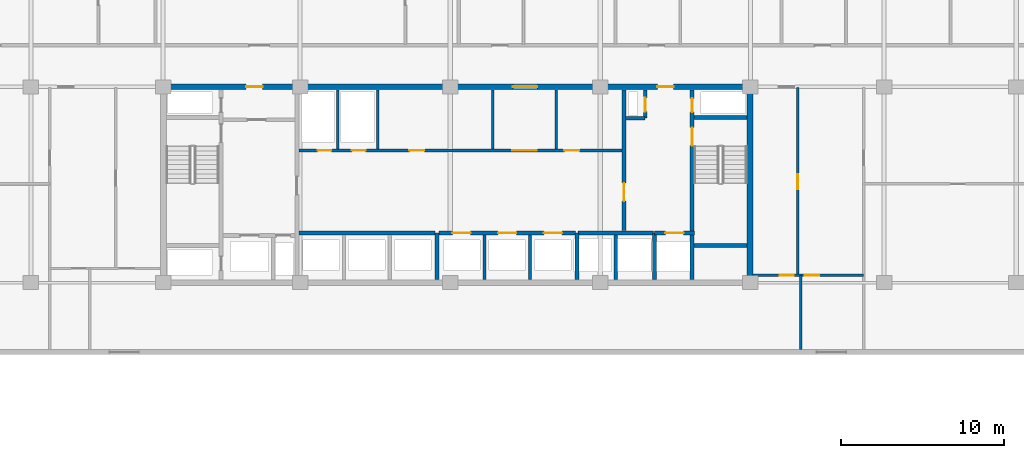
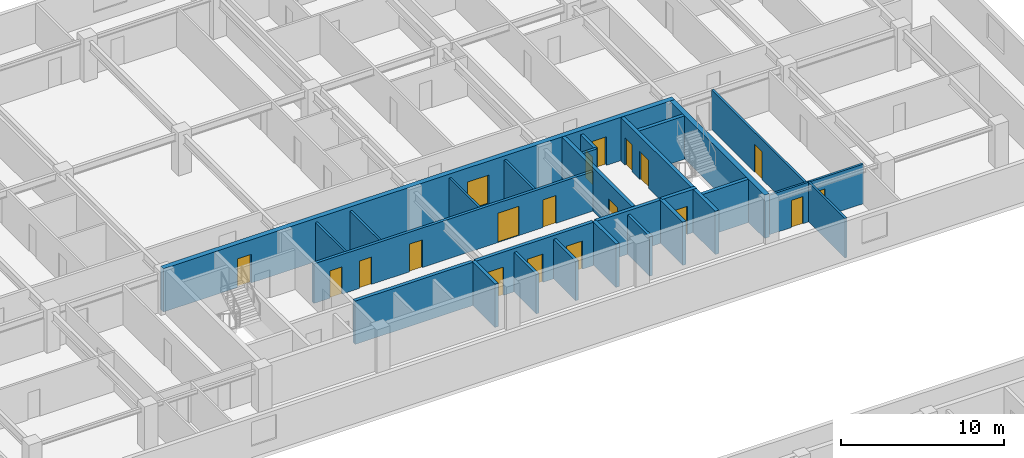
# One storey, part 11 of 21: 26 walls, 19 doors, 19 openings.
"""IFC4 building model written with IfcOpenShell, lengths in metres."""

from ifc_helpers import new_model, si_unit, direction, frame, frame_2d, origin, place, context, subcontext, project, spatial, rectangle, extrude, material, layer, layer_set, type_object, element, fill, save


model = new_model("IFC4")

# Units and contexts
model_context = context("Model", 3, precision=1e-05, world=origin(), true_north=direction((0.0, 1.0)))
body_context = subcontext(model_context, "Body", "Model", "MODEL_VIEW")
ifc_project = project(units=[si_unit("LENGTHUNIT", "METRE"), si_unit("AREAUNIT", "SQUARE_METRE"), si_unit("VOLUMEUNIT", "CUBIC_METRE"), si_unit("PLANEANGLEUNIT", "RADIAN"), si_unit("MASSUNIT", "GRAM", prefix="KILO")], contexts=[model_context])

# Site, building, storey
site_placement = place(None, origin())
site = spatial("IfcSite", under=ifc_project, at=site_placement, CompositionType="ELEMENT")
building_placement = place(site_placement, origin())
building = spatial("IfcBuilding", under=site, at=building_placement, Name="Korimba Cascade Residences", CompositionType="ELEMENT")
storey_placement = place(building_placement, frame((0.0, 0.0, 97.050048828125)))
storey = spatial("IfcBuildingStorey", under=building, at=storey_placement, Name="L27", CompositionType="ELEMENT", Elevation=97.050048828125)

# Wall
ifc_material_1 = material(Name="Concrete C65/80", Category="concrete")
ifc_layer_1 = layer(ifc_material_1, 0.35009765625)
ifc_layer_set_1 = layer_set([ifc_layer_1], Name="Concrete C65/80")
wall_type_1 = type_object("IfcWallType", Name="WAL-CORE-350", PredefinedType="SHEAR", material=ifc_layer_set_1)
wall_1_placement = place(storey_placement, frame((112.074951171875, 55.375, 0.0), z_axis=(0.0, 0.0, 1.0), x_axis=(0.0, 1.0, 0.0)))
element("IfcWall", 1, at=wall_1_placement, inside=storey, type_object=wall_type_1, Name="L27 Core Shear Wall CW-L27-T1-E", PredefinedType="SHEAR", context=body_context, shape_type="SweptSolid", body=[
    extrude(rectangle(XDim=11.64990234375, YDim=0.35009765625, at=frame_2d((5.824951171875, 0.0))), origin(), (0.0, 0.0, 1.0), 3.25),
])

# Wall, openings, doors
wall_2_placement = place(storey_placement, frame((75.949951171875, 67.199951171875, 0.0), z_axis=(0.0, 0.0, 1.0), x_axis=(1.0, 0.0, 0.0)))
wall_2 = element("IfcWall", 2, at=wall_2_placement, inside=storey, type_object=wall_type_1, Name="L27 Core Shear Wall CW-L27-T1-N", PredefinedType="SHEAR", context=body_context, shape_type="SweptSolid", body=[
    extrude(rectangle(XDim=36.300048828125, YDim=0.35009765625, at=frame_2d((18.14990234375, 0.0))), origin(), (0.0, 0.0, 1.0), 3.25),
])
opening_1_placement = place(wall_2_placement, frame((5.25, 0.0, 0.0)))
opening_1 = element("IfcOpeningElement", 3, at=opening_1_placement, cuts=wall_2, Name="Opening D-FD5", PredefinedType="OPENING", context=body_context, shape_type="SweptSolid", body=[
    extrude(rectangle(XDim=1.0, YDim=2.14990234375, at=frame_2d((0.5, 1.074951171875))), frame((0.0, 0.18505859375, 0.0), z_axis=(0.0, -1.0, 0.0), x_axis=(1.0, 0.0, 0.0)), (0.0, 0.0, 1.0), 0.3701171875),
])
opening_2_placement = place(wall_2_placement, frame((21.60009765625, 0.0, 0.0)))
opening_2 = element("IfcOpeningElement", 4, at=opening_2_placement, cuts=wall_2, Name="Opening D-FD8", PredefinedType="OPENING", context=body_context, shape_type="SweptSolid", body=[
    extrude(rectangle(XDim=1.5, YDim=2.199951171875, at=frame_2d((0.75, 1.10009765625))), frame((0.0, 0.18505859375, 0.0), z_axis=(0.0, -1.0, 0.0), x_axis=(1.0, 0.0, 0.0)), (0.0, 0.0, 1.0), 0.3701171875),
])
opening_3_placement = place(wall_2_placement, frame((30.449951171875, 0.0, 0.0)))
opening_3 = element("IfcOpeningElement", 5, at=opening_3_placement, cuts=wall_2, Name="Opening D-FD5", PredefinedType="OPENING", context=body_context, shape_type="SweptSolid", body=[
    extrude(rectangle(XDim=1.0, YDim=2.14990234375, at=frame_2d((0.5, 1.074951171875))), frame((0.0, 0.18505859375, 0.0), z_axis=(0.0, -1.0, 0.0), x_axis=(1.0, 0.0, 0.0)), (0.0, 0.0, 1.0), 0.3701171875),
])
ifc_material_2 = material(Name="Fire-Rated Acoustic Timber Vestibule Door", Category="wood")
door_type_1 = type_object("IfcDoorType", Name="DR-FD90-1000", OperationType="NOTDEFINED", PredefinedType="DOOR", material=ifc_material_2)
door_1_placement = place(opening_1_placement, origin())
door_1 = element("IfcDoor", 6, at=door_1_placement, inside=storey, type_object=door_type_1, Name="L27 T1 West Core Vestibule Fire Door", OperationType="SINGLE_SWING_RIGHT", OverallHeight=2.14990234375, OverallWidth=1.0, PredefinedType="DOOR", context=body_context, shape_type="SweptSolid", body=[
    extrude(rectangle(XDim=1.0, YDim=2.14990234375, at=frame_2d((0.5, 1.074951171875))), frame((0.0, 0.02490234375, 0.0), z_axis=(0.0, -1.0, 0.0), x_axis=(1.0, 0.0, 0.0)), (0.0, 0.0, 1.0), 0.050048828125),
])
fill(opening_1, door_1)
door_2_placement = place(opening_3_placement, origin())
door_2 = element("IfcDoor", 7, at=door_2_placement, inside=storey, type_object=door_type_1, Name="L27 T1 East Firefighting Vestibule Fire Door", OperationType="SINGLE_SWING_LEFT", OverallHeight=2.14990234375, OverallWidth=1.0, PredefinedType="DOOR", context=body_context, shape_type="SweptSolid", body=[
    extrude(rectangle(XDim=1.0, YDim=2.14990234375, at=frame_2d((0.5, 1.074951171875))), frame((0.0, 0.02490234375, 0.0), z_axis=(0.0, -1.0, 0.0), x_axis=(1.0, 0.0, 0.0)), (0.0, 0.0, 1.0), 0.050048828125),
])
fill(opening_3, door_2)
ifc_material_3 = material(Name="Fire-Rated Glazed Lift Lobby Double Door", Category="glass")
door_type_2 = type_object("IfcDoorType", Name="DR-FD90-1500", OperationType="NOTDEFINED", PredefinedType="DOOR", material=ifc_material_3)
door_3_placement = place(opening_2_placement, origin())
door_3 = element("IfcDoor", 8, at=door_3_placement, inside=storey, type_object=door_type_2, Name="L27 T1 Lift Lobby Fire Door", OperationType="DOUBLE_DOOR_SINGLE_SWING", OverallHeight=2.199951171875, OverallWidth=1.5, PredefinedType="DOOR", context=body_context, shape_type="SweptSolid", body=[
    extrude(rectangle(XDim=1.5, YDim=2.199951171875, at=frame_2d((0.75, 1.10009765625))), frame((0.0, 0.02490234375, 0.0), z_axis=(0.0, -1.0, 0.0), x_axis=(1.0, 0.0, 0.0)), (0.0, 0.0, 1.0), 0.050048828125),
])
fill(opening_2, door_3)

# Walls
ifc_material_4 = material(Name="Insulated Acoustic Stud Partition", Category="gypsum")
ifc_layer_2 = layer(ifc_material_4, 0.14990234375)
ifc_layer_set_2 = layer_set([ifc_layer_2], Name="Insulated Acoustic Stud Partition")
wall_type_2 = type_object("IfcWallType", Name="WAL-PART-150", PredefinedType="PARTITIONING", material=ifc_layer_set_2)
for number, where, z_axis, x_axis, name in (
    (9, (86.800048828125, 63.39990234375, 0.0), (0.0, 0.0, 1.0), (0.0, 1.0, 0.0), "L27 Partition Wall CW-L27-T1-ERDIV"),
    (10, (89.25, 63.39990234375, 0.0), (0.0, 0.0, 1.0), (0.0, 1.0, 0.0), "L27 Partition Wall CW-L27-T1-PRDIV"),
    (11, (96.300048828125, 63.39990234375, 0.0), (0.0, 0.0, 1.0), (0.0, 1.0, 0.0), "L27 Partition Wall CW-L27-T1-THW"),
    (12, (100.199951171875, 63.39990234375, 0.0), (0.0, 0.0, 1.0), (0.0, 1.0, 0.0), "L27 Partition Wall CW-L27-T1-THE"),
):
    element("IfcWall", number, at=place(storey_placement, frame(where, z_axis=z_axis, x_axis=x_axis)), inside=storey, type_object=wall_type_2, Name=name, PredefinedType="PARTITIONING", context=body_context, shape_type="SweptSolid", body=[
        extrude(rectangle(XDim=3.60009765625, YDim=0.14990234375, at=frame_2d((1.800048828125, 0.0))), origin(), (0.0, 0.0, 1.0), 2.969970703125),
    ])

# Wall, opening, door
wall_3_placement = place(storey_placement, frame((115.0, 55.64990234375, 0.0), z_axis=(0.0, 0.0, 1.0), x_axis=(0.0, 1.0, 0.0)))
wall_3 = element("IfcWall", 13, at=wall_3_placement, inside=storey, type_object=wall_type_2, Name="L27 Partition Wall WAL-L27-T1-FE-VN", PredefinedType="PARTITIONING", context=body_context, shape_type="SweptSolid", body=[
    extrude(rectangle(XDim=11.5, YDim=0.14990234375, at=frame_2d((5.75, 0.0))), origin(), (0.0, 0.0, 1.0), 2.969970703125),
])
opening_4_placement = place(wall_3_placement, frame((5.2900390625, 0.0, 0.0)))
opening_4 = element("IfcOpeningElement", 14, at=opening_4_placement, cuts=wall_3, Name="Opening D-IN1", PredefinedType="OPENING", context=body_context, shape_type="SweptSolid", body=[
    extrude(rectangle(XDim=0.919921875, YDim=2.080078125, at=frame_2d((0.4599609375, 1.0400390625))), frame((0.0, 0.0849609375, 0.0), z_axis=(0.0, -1.0, 0.0), x_axis=(1.0, 0.0, 0.0)), (0.0, 0.0, 1.0), 0.169921875),
])
ifc_material_5 = material(Name="Acoustic Timber Living Door", Category="wood")
door_type_3 = type_object("IfcDoorType", Name="DR-INT-920", OperationType="NOTDEFINED", PredefinedType="DOOR", material=ifc_material_5)
door_4_placement = place(opening_4_placement, origin())
door_4 = element("IfcDoor", 15, at=door_4_placement, inside=storey, type_object=door_type_3, Name="L27-T1-FE Living Door", OperationType="SINGLE_SWING_RIGHT", OverallHeight=2.080078125, OverallWidth=0.919921875, PredefinedType="DOOR", context=body_context, shape_type="SweptSolid", body=[
    extrude(rectangle(XDim=0.919921875, YDim=2.080078125, at=frame_2d((0.4599609375, 1.0400390625))), frame((0.0, 0.02490234375, 0.0), z_axis=(0.0, -1.0, 0.0), x_axis=(1.0, 0.0, 0.0)), (0.0, 0.0, 1.0), 0.050048828125),
])
fill(opening_4, door_4)

# Wall
wall_4_placement = place(storey_placement, frame((115.199951171875, 51.10009765625, 0.0), z_axis=(0.0, 0.0, 1.0), x_axis=(0.0, 1.0, 0.0)))
element("IfcWall", 16, at=wall_4_placement, inside=storey, type_object=wall_type_2, Name="L27 Partition Wall WAL-L27-T1-FE-VS", PredefinedType="PARTITIONING", context=body_context, shape_type="SweptSolid", body=[
    extrude(rectangle(XDim=4.5498046875, YDim=0.14990234375, at=frame_2d((2.27490234375, 0.0))), origin(), (0.0, 0.0, 1.0), 2.969970703125),
])

# Wall, openings, doors
wall_5_placement = place(storey_placement, frame((112.27001953125, 55.64990234375, 0.0), z_axis=(0.0, 0.0, 1.0), x_axis=(1.0, 0.0, 0.0)))
wall_5 = element("IfcWall", 17, at=wall_5_placement, inside=storey, type_object=wall_type_2, Name="L27 Partition Wall WAL-L27-T1-FE-H", PredefinedType="PARTITIONING", context=body_context, shape_type="SweptSolid", body=[
    extrude(rectangle(XDim=6.760009765625, YDim=0.14990234375, at=frame_2d((3.3798828125, 0.0))), origin(), (0.0, 0.0, 1.0), 2.969970703125),
])
opening_5_placement = place(wall_5_placement, frame((1.6396484375, 0.0, 0.0)))
opening_5 = element("IfcOpeningElement", 18, at=opening_5_placement, cuts=wall_5, Name="Opening D-BT1", PredefinedType="OPENING", context=body_context, shape_type="SweptSolid", body=[
    extrude(rectangle(XDim=0.840087890625, YDim=2.0400390625, at=frame_2d((0.419921875, 1.02001953125))), frame((0.0, 0.0849609375, 0.0), z_axis=(0.0, -1.0, 0.0), x_axis=(1.0, 0.0, 0.0)), (0.0, 0.0, 1.0), 0.169921875),
])
opening_6_placement = place(wall_5_placement, frame((3.160400390625, 0.0, 0.0)))
opening_6 = element("IfcOpeningElement", 19, at=opening_6_placement, cuts=wall_5, Name="Opening D-IN2", PredefinedType="OPENING", context=body_context, shape_type="SweptSolid", body=[
    extrude(rectangle(XDim=0.8798828125, YDim=2.06005859375, at=frame_2d((0.43994140625, 1.030029296875))), frame((0.0, 0.0849609375, 0.0), z_axis=(0.0, -1.0, 0.0), x_axis=(1.0, 0.0, 0.0)), (0.0, 0.0, 1.0), 0.169921875),
])
ifc_material_6 = material(Name="Moisture-Resistant Bathroom Timber Door", Category="wood")
door_type_4 = type_object("IfcDoorType", Name="DR-INT-850", OperationType="NOTDEFINED", PredefinedType="DOOR", material=ifc_material_6)
door_5_placement = place(opening_5_placement, origin())
door_5 = element("IfcDoor", 20, at=door_5_placement, inside=storey, type_object=door_type_4, Name="L27-T1-FE Bathroom Door", OperationType="SINGLE_SWING_LEFT", OverallHeight=2.0400390625, OverallWidth=0.840087890625, PredefinedType="DOOR", context=body_context, shape_type="SweptSolid", body=[
    extrude(rectangle(XDim=0.840087890625, YDim=2.0400390625, at=frame_2d((0.419921875, 1.02001953125))), frame((0.0, 0.02490234375, 0.0), z_axis=(0.0, -1.0, 0.0), x_axis=(1.0, 0.0, 0.0)), (0.0, 0.0, 1.0), 0.050048828125),
])
fill(opening_5, door_5)
ifc_material_7 = material(Name="Acoustic Timber Bedroom Door", Category="wood")
door_type_5 = type_object("IfcDoorType", Name="DR-INT-880", OperationType="NOTDEFINED", PredefinedType="DOOR", material=ifc_material_7)
door_6_placement = place(opening_6_placement, origin())
door_6 = element("IfcDoor", 21, at=door_6_placement, inside=storey, type_object=door_type_5, Name="L27-T1-FE Bedroom Door", OperationType="SINGLE_SWING_RIGHT", OverallHeight=2.06005859375, OverallWidth=0.8798828125, PredefinedType="DOOR", context=body_context, shape_type="SweptSolid", body=[
    extrude(rectangle(XDim=0.8798828125, YDim=2.06005859375, at=frame_2d((0.43994140625, 1.030029296875))), frame((0.0, 0.02490234375, 0.0), z_axis=(0.0, -1.0, 0.0), x_axis=(1.0, 0.0, 0.0)), (0.0, 0.0, 1.0), 0.050048828125),
])
fill(opening_6, door_6)

# Walls
ifc_material_8 = material(Name="Concrete C40/50", Category="concrete")
ifc_layer_3 = layer(ifc_material_8, 0.199951171875)
ifc_layer_set_3 = layer_set([ifc_layer_3], Name="Concrete C40/50")
wall_type_3 = type_object("IfcWallType", Name="WAL-PART-200", PredefinedType="PARTITIONING", material=ifc_layer_set_3)
for number, where, z_axis, x_axis, name in (
    (22, (95.800048828125, 55.39990234375, 0.0), (0.0, 0.0, 1.0), (0.0, 1.0, 0.0), "L27 Partition Wall CW-L27-T1-B2D1"),
    (23, (98.60009765625, 55.39990234375, 0.0), (0.0, 0.0, 1.0), (0.0, 1.0, 0.0), "L27 Partition Wall CW-L27-T1-B2D2"),
    (24, (103.85009765625, 55.39990234375, 0.0), (0.0, 0.0, 1.0), (0.0, 1.0, 0.0), "L27 Partition Wall CW-L27-T1-B3D1"),
):
    element("IfcWall", number, at=place(storey_placement, frame(where, z_axis=z_axis, x_axis=x_axis)), inside=storey, type_object=wall_type_3, Name=name, PredefinedType="PARTITIONING", context=body_context, shape_type="SweptSolid", body=[
        extrude(rectangle(XDim=2.72021484375, YDim=0.199951171875, at=frame_2d((1.360107421875, 0.0))), origin(), (0.0, 0.0, 1.0), 2.969970703125),
    ])

# Wall, openings, doors
wall_6_placement = place(storey_placement, frame((84.419921875, 63.300048828125, 0.0), z_axis=(0.0, 0.0, 1.0), x_axis=(1.0, 0.0, 0.0)))
wall_6 = element("IfcWall", 25, at=wall_6_placement, inside=storey, type_object=wall_type_3, Name="L27 Partition Wall CW-L27-T1-SRVROW", PredefinedType="PARTITIONING", context=body_context, shape_type="SweptSolid", body=[
    extrude(rectangle(XDim=19.830078125, YDim=0.199951171875, at=frame_2d((9.9150390625, 0.0))), origin(), (0.0, 0.0, 1.0), 2.969970703125),
])
opening_7_placement = place(wall_6_placement, frame((1.14990234375, 0.0, 0.0)))
opening_7 = element("IfcOpeningElement", 26, at=opening_7_placement, cuts=wall_6, Name="Opening D-RS1", PredefinedType="OPENING", context=body_context, shape_type="SweptSolid", body=[
    extrude(rectangle(XDim=0.85009765625, YDim=2.050048828125, at=frame_2d((0.425048828125, 1.02490234375))), frame((0.0, 0.10986328125, 0.0), z_axis=(0.0, -1.0, 0.0), x_axis=(1.0, 0.0, 0.0)), (0.0, 0.0, 1.0), 0.219970703125),
])
opening_8_placement = place(wall_6_placement, frame((3.25, 0.0, 0.0)))
opening_8 = element("IfcOpeningElement", 27, at=opening_8_placement, cuts=wall_6, Name="Opening D-RS1", PredefinedType="OPENING", context=body_context, shape_type="SweptSolid", body=[
    extrude(rectangle(XDim=0.85009765625, YDim=2.050048828125, at=frame_2d((0.425048828125, 1.02490234375))), frame((0.0, 0.10986328125, 0.0), z_axis=(0.0, -1.0, 0.0), x_axis=(1.0, 0.0, 0.0)), (0.0, 0.0, 1.0), 0.219970703125),
])
opening_9_placement = place(wall_6_placement, frame((13.080078125, 0.0, 0.0)))
opening_9 = element("IfcOpeningElement", 28, at=opening_9_placement, cuts=wall_6, Name="Opening D-FD8", PredefinedType="OPENING", context=body_context, shape_type="SweptSolid", body=[
    extrude(rectangle(XDim=1.5, YDim=2.199951171875, at=frame_2d((0.75, 1.10009765625))), frame((0.0, 0.10986328125, 0.0), z_axis=(0.0, -1.0, 0.0), x_axis=(1.0, 0.0, 0.0)), (0.0, 0.0, 1.0), 0.219970703125),
])
opening_10_placement = place(wall_6_placement, frame((6.780029296875, 0.0, 0.0)))
opening_10 = element("IfcOpeningElement", 29, at=opening_10_placement, cuts=wall_6, Name="Opening D-IN1", PredefinedType="OPENING", context=body_context, shape_type="SweptSolid", body=[
    extrude(rectangle(XDim=0.919921875, YDim=2.080078125, at=frame_2d((0.4599609375, 1.0400390625))), frame((0.0, 0.10986328125, 0.0), z_axis=(0.0, -1.0, 0.0), x_axis=(1.0, 0.0, 0.0)), (0.0, 0.0, 1.0), 0.219970703125),
])
opening_11_placement = place(wall_6_placement, frame((16.280029296875, 0.0, 0.0)))
opening_11 = element("IfcOpeningElement", 30, at=opening_11_placement, cuts=wall_6, Name="Opening D-IN1", PredefinedType="OPENING", context=body_context, shape_type="SweptSolid", body=[
    extrude(rectangle(XDim=0.919921875, YDim=2.080078125, at=frame_2d((0.4599609375, 1.0400390625))), frame((0.0, 0.10986328125, 0.0), z_axis=(0.0, -1.0, 0.0), x_axis=(1.0, 0.0, 0.0)), (0.0, 0.0, 1.0), 0.219970703125),
])
ifc_material_9 = material(Name="Fire-Rated Steel Riser Access Door", Category="steel")
door_type_6 = type_object("IfcDoorType", Name="DR-FD60-850", OperationType="NOTDEFINED", PredefinedType="DOOR", material=ifc_material_9)
door_7_placement = place(opening_7_placement, origin())
door_7 = element("IfcDoor", 31, at=door_7_placement, inside=storey, type_object=door_type_6, Name="L27 Electrical Riser Door", OperationType="SINGLE_SWING_RIGHT", OverallHeight=2.050048828125, OverallWidth=0.85009765625, PredefinedType="DOOR", context=body_context, shape_type="SweptSolid", body=[
    extrude(rectangle(XDim=0.85009765625, YDim=2.050048828125, at=frame_2d((0.425048828125, 1.02490234375))), frame((0.0, 0.02490234375, 0.0), z_axis=(0.0, -1.0, 0.0), x_axis=(1.0, 0.0, 0.0)), (0.0, 0.0, 1.0), 0.050048828125),
])
fill(opening_7, door_7)
door_8_placement = place(opening_8_placement, origin())
door_8 = element("IfcDoor", 32, at=door_8_placement, inside=storey, type_object=door_type_6, Name="L27 Plumbing Riser Door", OperationType="SINGLE_SWING_LEFT", OverallHeight=2.050048828125, OverallWidth=0.85009765625, PredefinedType="DOOR", context=body_context, shape_type="SweptSolid", body=[
    extrude(rectangle(XDim=0.85009765625, YDim=2.050048828125, at=frame_2d((0.425048828125, 1.02490234375))), frame((0.0, 0.02490234375, 0.0), z_axis=(0.0, -1.0, 0.0), x_axis=(1.0, 0.0, 0.0)), (0.0, 0.0, 1.0), 0.050048828125),
])
fill(opening_8, door_8)
door_9_placement = place(opening_9_placement, origin())
door_9 = element("IfcDoor", 33, at=door_9_placement, inside=storey, type_object=door_type_2, Name="L27 Lift Lobby Foyer Archway Door", OperationType="DOUBLE_DOOR_SINGLE_SWING", OverallHeight=2.199951171875, OverallWidth=1.5, PredefinedType="DOOR", context=body_context, shape_type="SweptSolid", body=[
    extrude(rectangle(XDim=1.5, YDim=2.199951171875, at=frame_2d((0.75, 1.10009765625))), frame((0.0, 0.02490234375, 0.0), z_axis=(0.0, -1.0, 0.0), x_axis=(1.0, 0.0, 0.0)), (0.0, 0.0, 1.0), 0.050048828125),
])
fill(opening_9, door_9)
door_10_placement = place(opening_10_placement, origin())
door_10 = element("IfcDoor", 34, at=door_10_placement, inside=storey, type_object=door_type_3, Name="L27 Housekeeping Door", OperationType="SINGLE_SWING_RIGHT", OverallHeight=2.080078125, OverallWidth=0.919921875, PredefinedType="DOOR", context=body_context, shape_type="SweptSolid", body=[
    extrude(rectangle(XDim=0.919921875, YDim=2.080078125, at=frame_2d((0.4599609375, 1.0400390625))), frame((0.0, 0.02490234375, 0.0), z_axis=(0.0, -1.0, 0.0), x_axis=(1.0, 0.0, 0.0)), (0.0, 0.0, 1.0), 0.050048828125),
])
fill(opening_10, door_10)
door_11_placement = place(opening_11_placement, origin())
door_11 = element("IfcDoor", 35, at=door_11_placement, inside=storey, type_object=door_type_3, Name="L27 Store Door", OperationType="SINGLE_SWING_LEFT", OverallHeight=2.080078125, OverallWidth=0.919921875, PredefinedType="DOOR", context=body_context, shape_type="SweptSolid", body=[
    extrude(rectangle(XDim=0.919921875, YDim=2.080078125, at=frame_2d((0.4599609375, 1.0400390625))), frame((0.0, 0.02490234375, 0.0), z_axis=(0.0, -1.0, 0.0), x_axis=(1.0, 0.0, 0.0)), (0.0, 0.0, 1.0), 0.050048828125),
])
fill(opening_11, door_11)

# Wall
wall_7_placement = place(storey_placement, frame((104.449951171875, 65.280029296875, 0.0), z_axis=(0.0, 0.0, 1.0), x_axis=(1.0, 0.0, 0.0)))
element("IfcWall", 36, at=wall_7_placement, inside=storey, type_object=wall_type_3, Name="L27 Partition Wall CW-L27-T1-HYDW2S", PredefinedType="PARTITIONING", context=body_context, shape_type="SweptSolid", body=[
    extrude(rectangle(XDim=1.199951171875, YDim=0.199951171875, at=frame_2d((0.60009765625, 0.0))), origin(), (0.0, 0.0, 1.0), 2.969970703125),
])

# Wall, opening, door
wall_8_placement = place(storey_placement, frame((105.64990234375, 65.280029296875, 0.0), z_axis=(0.0, 0.0, 1.0), x_axis=(0.0, 1.0, 0.0)))
wall_8 = element("IfcWall", 37, at=wall_8_placement, inside=storey, type_object=wall_type_3, Name="L27 Partition Wall CW-L27-T1-HYDW2E", PredefinedType="PARTITIONING", context=body_context, shape_type="SweptSolid", body=[
    extrude(rectangle(XDim=1.719970703125, YDim=0.199951171875, at=frame_2d((0.85986328125, 0.0))), origin(), (0.0, 0.0, 1.0), 2.969970703125),
])
opening_12_placement = place(wall_8_placement, frame((0.39990234375, 0.0, 0.0)))
opening_12 = element("IfcOpeningElement", 38, at=opening_12_placement, cuts=wall_8, Name="Opening D-RS1", PredefinedType="OPENING", context=body_context, shape_type="SweptSolid", body=[
    extrude(rectangle(XDim=0.85009765625, YDim=2.050048828125, at=frame_2d((0.425048828125, 1.02490234375))), frame((0.0, 0.10986328125, 0.0), z_axis=(0.0, -1.0, 0.0), x_axis=(1.0, 0.0, 0.0)), (0.0, 0.0, 1.0), 0.219970703125),
])
door_12_placement = place(opening_12_placement, origin())
door_12 = element("IfcDoor", 39, at=door_12_placement, inside=storey, type_object=door_type_6, Name="L27 East Hydrant Door", OperationType="SINGLE_SWING_RIGHT", OverallHeight=2.050048828125, OverallWidth=0.85009765625, PredefinedType="DOOR", context=body_context, shape_type="SweptSolid", body=[
    extrude(rectangle(XDim=0.85009765625, YDim=2.050048828125, at=frame_2d((0.425048828125, 1.02490234375))), frame((0.0, 0.02490234375, 0.0), z_axis=(0.0, -1.0, 0.0), x_axis=(1.0, 0.0, 0.0)), (0.0, 0.0, 1.0), 0.050048828125),
])
fill(opening_12, door_12)

# Walls
ifc_material_10 = material(Name="Concrete C50/60", Category="concrete")
ifc_layer_4 = layer(ifc_material_10, 0.25)
ifc_layer_set_4 = layer_set([ifc_layer_4], Name="Concrete C50/60")
wall_type_4 = type_object("IfcWallType", Name="WAL-SHAFT-250", PredefinedType="SHEAR", material=ifc_layer_set_4)
wall_9_placement = place(storey_placement, frame((84.419921875, 58.25, 0.0), z_axis=(0.0, 0.0, 1.0), x_axis=(1.0, 0.0, 0.0)))
element("IfcWall", 40, at=wall_9_placement, inside=storey, type_object=wall_type_4, Name="L27 Core Shear Wall CW-L27-T1-B1N", PredefinedType="SHEAR", context=body_context, shape_type="SweptSolid", body=[
    extrude(rectangle(XDim=8.360107421875, YDim=0.25, at=frame_2d((4.18017578125, 0.0))), origin(), (0.0, 0.0, 1.0), 3.25),
])
wall_10_placement = place(storey_placement, frame((92.89990234375, 55.39990234375, 0.0), z_axis=(0.0, 0.0, 1.0), x_axis=(0.0, 1.0, 0.0)))
element("IfcWall", 41, at=wall_10_placement, inside=storey, type_object=wall_type_4, Name="L27 Core Shear Wall CW-L27-T1-B12DIV", PredefinedType="SHEAR", context=body_context, shape_type="SweptSolid", body=[
    extrude(rectangle(XDim=2.85009765625, YDim=0.25, at=frame_2d((1.425048828125, 0.0))), origin(), (0.0, 0.0, 1.0), 3.25),
])

# Wall, openings, doors
wall_11_placement = place(storey_placement, frame((93.02001953125, 58.25, 0.0), z_axis=(0.0, 0.0, 1.0), x_axis=(1.0, 0.0, 0.0)))
wall_11 = element("IfcWall", 42, at=wall_11_placement, inside=storey, type_object=wall_type_4, Name="L27 Core Shear Wall CW-L27-T1-B2N", PredefinedType="SHEAR", context=body_context, shape_type="SweptSolid", body=[
    extrude(rectangle(XDim=8.35986328125, YDim=0.25, at=frame_2d((4.179931640625, 0.0))), origin(), (0.0, 0.0, 1.0), 3.25),
])
opening_13_placement = place(wall_11_placement, frame((0.820068359375, 0.0, 0.0)))
opening_13 = element("IfcOpeningElement", 43, at=opening_13_placement, cuts=wall_11, Name="Opening LD-01", PredefinedType="OPENING", context=body_context, shape_type="SweptSolid", body=[
    extrude(rectangle(XDim=1.1201171875, YDim=2.1201171875, at=frame_2d((0.56005859375, 1.06005859375))), frame((0.0, 0.135009765625, 0.0), z_axis=(0.0, -1.0, 0.0), x_axis=(1.0, 0.0, 0.0)), (0.0, 0.0, 1.0), 0.27001953125),
])
opening_14_placement = place(wall_11_placement, frame((3.6201171875, 0.0, 0.0)))
opening_14 = element("IfcOpeningElement", 44, at=opening_14_placement, cuts=wall_11, Name="Opening LD-01", PredefinedType="OPENING", context=body_context, shape_type="SweptSolid", body=[
    extrude(rectangle(XDim=1.1201171875, YDim=2.1201171875, at=frame_2d((0.56005859375, 1.06005859375))), frame((0.0, 0.135009765625, 0.0), z_axis=(0.0, -1.0, 0.0), x_axis=(1.0, 0.0, 0.0)), (0.0, 0.0, 1.0), 0.27001953125),
])
opening_15_placement = place(wall_11_placement, frame((6.419921875, 0.0, 0.0)))
opening_15 = element("IfcOpeningElement", 45, at=opening_15_placement, cuts=wall_11, Name="Opening LD-01", PredefinedType="OPENING", context=body_context, shape_type="SweptSolid", body=[
    extrude(rectangle(XDim=1.1201171875, YDim=2.1201171875, at=frame_2d((0.56005859375, 1.06005859375))), frame((0.0, 0.135009765625, 0.0), z_axis=(0.0, -1.0, 0.0), x_axis=(1.0, 0.0, 0.0)), (0.0, 0.0, 1.0), 0.27001953125),
])
ifc_material_11 = material(Name="Stainless Steel Lift Landing Sliding Door", Category="steel")
door_type_7 = type_object("IfcDoorType", Name="DR-LIFT-1100", OperationType="NOTDEFINED", PredefinedType="DOOR", material=ifc_material_11)
door_13_placement = place(opening_13_placement, origin())
door_13 = element("IfcDoor", 46, at=door_13_placement, inside=storey, type_object=door_type_7, Name="L27 Lift Landing Door PL-W4", OperationType="SLIDING_TO_RIGHT", OverallHeight=2.1201171875, OverallWidth=1.1201171875, PredefinedType="DOOR", context=body_context, shape_type="SweptSolid", body=[
    extrude(rectangle(XDim=1.1201171875, YDim=2.1201171875, at=frame_2d((0.56005859375, 1.06005859375))), frame((0.0, 0.02490234375, 0.0), z_axis=(0.0, -1.0, 0.0), x_axis=(1.0, 0.0, 0.0)), (0.0, 0.0, 1.0), 0.050048828125),
])
fill(opening_13, door_13)
door_14_placement = place(opening_14_placement, origin())
door_14 = element("IfcDoor", 47, at=door_14_placement, inside=storey, type_object=door_type_7, Name="L27 Lift Landing Door PL-W5", OperationType="SLIDING_TO_RIGHT", OverallHeight=2.1201171875, OverallWidth=1.1201171875, PredefinedType="DOOR", context=body_context, shape_type="SweptSolid", body=[
    extrude(rectangle(XDim=1.1201171875, YDim=2.1201171875, at=frame_2d((0.56005859375, 1.06005859375))), frame((0.0, 0.02490234375, 0.0), z_axis=(0.0, -1.0, 0.0), x_axis=(1.0, 0.0, 0.0)), (0.0, 0.0, 1.0), 0.050048828125),
])
fill(opening_14, door_14)
door_15_placement = place(opening_15_placement, origin())
door_15 = element("IfcDoor", 48, at=door_15_placement, inside=storey, type_object=door_type_7, Name="L27 Lift Landing Door PL-W6", OperationType="SLIDING_TO_RIGHT", OverallHeight=2.1201171875, OverallWidth=1.1201171875, PredefinedType="DOOR", context=body_context, shape_type="SweptSolid", body=[
    extrude(rectangle(XDim=1.1201171875, YDim=2.1201171875, at=frame_2d((0.56005859375, 1.06005859375))), frame((0.0, 0.02490234375, 0.0), z_axis=(0.0, -1.0, 0.0), x_axis=(1.0, 0.0, 0.0)), (0.0, 0.0, 1.0), 0.050048828125),
])
fill(opening_15, door_15)

# Walls
wall_12_placement = place(storey_placement, frame((101.47998046875, 55.39990234375, 0.0), z_axis=(0.0, 0.0, 1.0), x_axis=(0.0, 1.0, 0.0)))
element("IfcWall", 49, at=wall_12_placement, inside=storey, type_object=wall_type_4, Name="L27 Core Shear Wall CW-L27-T1-B23DIV", PredefinedType="SHEAR", context=body_context, shape_type="SweptSolid", body=[
    extrude(rectangle(XDim=2.85009765625, YDim=0.25, at=frame_2d((1.425048828125, 0.0))), origin(), (0.0, 0.0, 1.0), 3.25),
])
wall_13_placement = place(storey_placement, frame((101.550048828125, 58.25, 0.0), z_axis=(0.0, 0.0, 1.0), x_axis=(1.0, 0.0, 0.0)))
element("IfcWall", 50, at=wall_13_placement, inside=storey, type_object=wall_type_4, Name="L27 Core Shear Wall CW-L27-T1-B3N", PredefinedType="SHEAR", context=body_context, shape_type="SweptSolid", body=[
    extrude(rectangle(XDim=4.599853515625, YDim=0.25, at=frame_2d((2.2998046875, 0.0))), origin(), (0.0, 0.0, 1.0), 3.25),
])
wall_14_placement = place(storey_placement, frame((106.219970703125, 55.39990234375, 0.0), z_axis=(0.0, 0.0, 1.0), x_axis=(0.0, 1.0, 0.0)))
element("IfcWall", 51, at=wall_14_placement, inside=storey, type_object=wall_type_4, Name="L27 Core Shear Wall CW-L27-T1-FF2W", PredefinedType="SHEAR", context=body_context, shape_type="SweptSolid", body=[
    extrude(rectangle(XDim=2.85009765625, YDim=0.25, at=frame_2d((1.425048828125, 0.0))), origin(), (0.0, 0.0, 1.0), 3.25),
])

# Wall, opening, door
wall_15_placement = place(storey_placement, frame((106.219970703125, 58.25, 0.0), z_axis=(0.0, 0.0, 1.0), x_axis=(1.0, 0.0, 0.0)))
wall_15 = element("IfcWall", 52, at=wall_15_placement, inside=storey, type_object=wall_type_4, Name="L27 Core Shear Wall CW-L27-T1-FF2N", PredefinedType="SHEAR", context=body_context, shape_type="SweptSolid", body=[
    extrude(rectangle(XDim=2.4599609375, YDim=0.25, at=frame_2d((1.22998046875, 0.0))), origin(), (0.0, 0.0, 1.0), 3.25),
])
opening_16_placement = place(wall_15_placement, frame((0.669921875, 0.0, 0.0)))
opening_16 = element("IfcOpeningElement", 53, at=opening_16_placement, cuts=wall_15, Name="Opening LD-01", PredefinedType="OPENING", context=body_context, shape_type="SweptSolid", body=[
    extrude(rectangle(XDim=1.1201171875, YDim=2.1201171875, at=frame_2d((0.56005859375, 1.06005859375))), frame((0.0, 0.135009765625, 0.0), z_axis=(0.0, -1.0, 0.0), x_axis=(1.0, 0.0, 0.0)), (0.0, 0.0, 1.0), 0.27001953125),
])
door_16_placement = place(opening_16_placement, origin())
door_16 = element("IfcDoor", 54, at=door_16_placement, inside=storey, type_object=door_type_7, Name="L27 Firefighting Lift Landing Door FFL-W2", OperationType="SLIDING_TO_RIGHT", OverallHeight=2.1201171875, OverallWidth=1.1201171875, PredefinedType="DOOR", context=body_context, shape_type="SweptSolid", body=[
    extrude(rectangle(XDim=1.1201171875, YDim=2.1201171875, at=frame_2d((0.56005859375, 1.06005859375))), frame((0.0, 0.02490234375, 0.0), z_axis=(0.0, -1.0, 0.0), x_axis=(1.0, 0.0, 0.0)), (0.0, 0.0, 1.0), 0.050048828125),
])
fill(opening_16, door_16)

wall_16_placement = place(storey_placement, frame((104.35009765625, 58.39990234375, 0.0), z_axis=(0.0, 0.0, 1.0), x_axis=(0.0, 1.0, 0.0)))
wall_16 = element("IfcWall", 55, at=wall_16_placement, inside=storey, type_object=wall_type_4, Name="L27 Core Shear Wall CW-L27-T1-LLEV", PredefinedType="SHEAR", context=body_context, shape_type="SweptSolid", body=[
    extrude(rectangle(XDim=8.60009765625, YDim=0.25, at=frame_2d((4.300048828125, 0.0))), origin(), (0.0, 0.0, 1.0), 3.25),
])
opening_17_placement = place(wall_16_placement, frame((1.800048828125, 0.0, 0.0)))
opening_17 = element("IfcOpeningElement", 56, at=opening_17_placement, cuts=wall_16, Name="Opening D-FD1", PredefinedType="OPENING", context=body_context, shape_type="SweptSolid", body=[
    extrude(rectangle(XDim=1.10009765625, YDim=2.10009765625, at=frame_2d((0.550048828125, 1.050048828125))), frame((0.0, 0.135009765625, 0.0), z_axis=(0.0, -1.0, 0.0), x_axis=(1.0, 0.0, 0.0)), (0.0, 0.0, 1.0), 0.27001953125),
])
ifc_material_12 = material(Name="Fire-Rated Steel Core Door", Category="steel")
door_type_8 = type_object("IfcDoorType", Name="DR-FD120-1100", OperationType="NOTDEFINED", PredefinedType="DOOR", material=ifc_material_12)
door_17_placement = place(opening_17_placement, origin())
door_17 = element("IfcDoor", 57, at=door_17_placement, inside=storey, type_object=door_type_8, Name="L27 Lift Lobby to East Firefighting Lobby Door", OperationType="SINGLE_SWING_LEFT", OverallHeight=2.10009765625, OverallWidth=1.10009765625, PredefinedType="DOOR", context=body_context, shape_type="SweptSolid", body=[
    extrude(rectangle(XDim=1.10009765625, YDim=2.10009765625, at=frame_2d((0.550048828125, 1.050048828125))), frame((0.0, 0.02490234375, 0.0), z_axis=(0.0, -1.0, 0.0), x_axis=(1.0, 0.0, 0.0)), (0.0, 0.0, 1.0), 0.050048828125),
])
fill(opening_17, door_17)

# Wall, openings, doors
wall_17_placement = place(storey_placement, frame((108.534912109375, 55.39990234375, 0.0), z_axis=(0.0, 0.0, 1.0), x_axis=(0.0, 1.0, 0.0)))
wall_17 = element("IfcWall", 58, at=wall_17_placement, inside=storey, type_object=wall_type_4, Name="L27 Core Shear Wall CW-L27-T1-STW2W", PredefinedType="SHEAR", context=body_context, shape_type="SweptSolid", body=[
    extrude(rectangle(XDim=11.60009765625, YDim=0.25, at=frame_2d((5.800048828125, 0.0))), origin(), (0.0, 0.0, 1.0), 3.25),
])
opening_18_placement = place(wall_17_placement, frame((8.199951171875, 0.0, 0.0)))
opening_18 = element("IfcOpeningElement", 59, at=opening_18_placement, cuts=wall_17, Name="Opening D-FD1", PredefinedType="OPENING", context=body_context, shape_type="SweptSolid", body=[
    extrude(rectangle(XDim=1.10009765625, YDim=2.10009765625, at=frame_2d((0.550048828125, 1.050048828125))), frame((0.0, 0.135009765625, 0.0), z_axis=(0.0, -1.0, 0.0), x_axis=(1.0, 0.0, 0.0)), (0.0, 0.0, 1.0), 0.27001953125),
])
opening_19_placement = place(wall_17_placement, frame((10.25, 0.0, 0.0)))
opening_19 = element("IfcOpeningElement", 60, at=opening_19_placement, cuts=wall_17, Name="Opening D-RS1", PredefinedType="OPENING", context=body_context, shape_type="SweptSolid", body=[
    extrude(rectangle(XDim=0.85009765625, YDim=2.050048828125, at=frame_2d((0.425048828125, 1.02490234375))), frame((0.0, 0.135009765625, 0.0), z_axis=(0.0, -1.0, 0.0), x_axis=(1.0, 0.0, 0.0)), (0.0, 0.0, 1.0), 0.27001953125),
])
door_18_placement = place(opening_18_placement, origin())
door_18 = element("IfcDoor", 61, at=door_18_placement, inside=storey, type_object=door_type_8, Name="L27 Fire Stair ST-W2 Door", OperationType="SINGLE_SWING_RIGHT", OverallHeight=2.10009765625, OverallWidth=1.10009765625, PredefinedType="DOOR", context=body_context, shape_type="SweptSolid", body=[
    extrude(rectangle(XDim=1.10009765625, YDim=2.10009765625, at=frame_2d((0.550048828125, 1.050048828125))), frame((0.0, 0.02490234375, 0.0), z_axis=(0.0, -1.0, 0.0), x_axis=(1.0, 0.0, 0.0)), (0.0, 0.0, 1.0), 0.050048828125),
])
fill(opening_18, door_18)
door_19_placement = place(opening_19_placement, origin())
door_19 = element("IfcDoor", 62, at=door_19_placement, inside=storey, type_object=door_type_6, Name="L27 East Riser Door", OperationType="SINGLE_SWING_LEFT", OverallHeight=2.050048828125, OverallWidth=0.85009765625, PredefinedType="DOOR", context=body_context, shape_type="SweptSolid", body=[
    extrude(rectangle(XDim=0.85009765625, YDim=2.050048828125, at=frame_2d((0.425048828125, 1.02490234375))), frame((0.0, 0.02490234375, 0.0), z_axis=(0.0, -1.0, 0.0), x_axis=(1.0, 0.0, 0.0)), (0.0, 0.0, 1.0), 0.050048828125),
])
fill(opening_19, door_19)

# Walls
for number, where, z_axis, x_axis, name in (
    (63, (108.659912109375, 57.47509765625, 0.0), (0.0, 0.0, 1.0), (1.0, 0.0, 0.0), "L27 Core Shear Wall CW-L27-T1-STW2S"),
    (64, (108.659912109375, 65.324951171875, 0.0), (0.0, 0.0, 1.0), (1.0, 0.0, 0.0), "L27 Core Shear Wall CW-L27-T1-STW2N"),
):
    element("IfcWall", number, at=place(storey_placement, frame(where, z_axis=z_axis, x_axis=x_axis)), inside=storey, type_object=wall_type_4, Name=name, PredefinedType="SHEAR", context=body_context, shape_type="SweptSolid", body=[
        extrude(rectangle(XDim=3.239990234375, YDim=0.25, at=frame_2d((1.6201171875, 0.0))), origin(), (0.0, 0.0, 1.0), 3.25),
    ])

save(model, "model.ifc")
